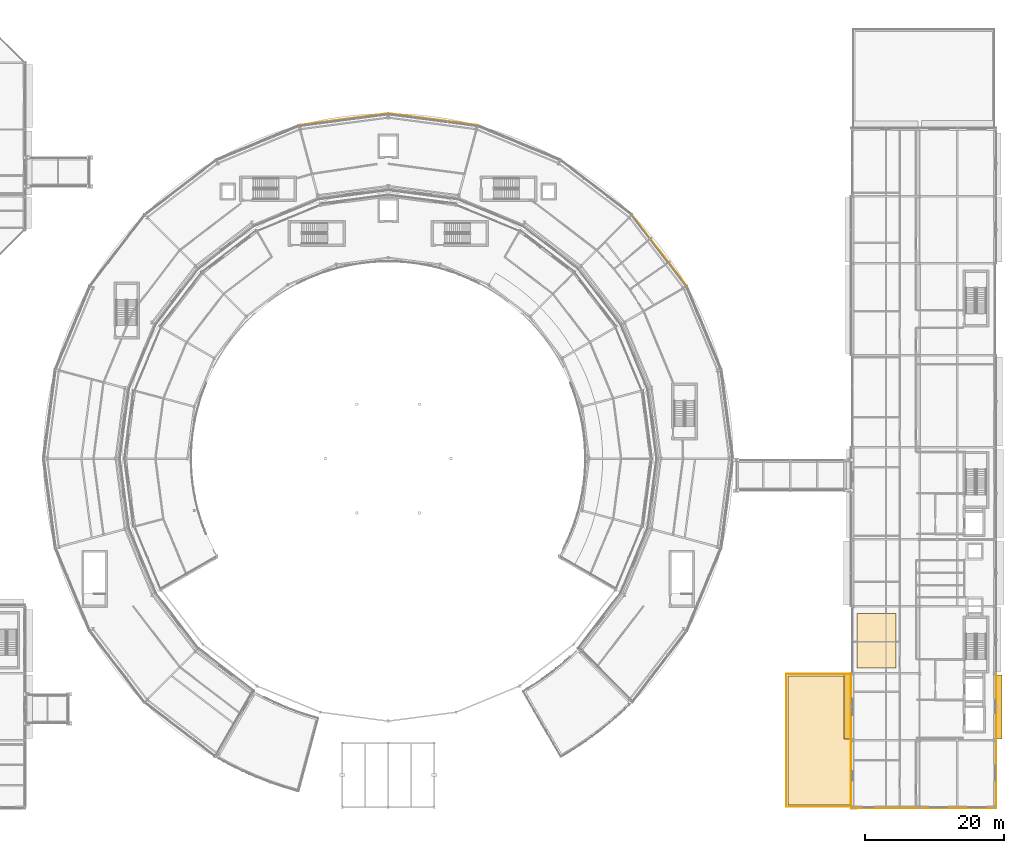
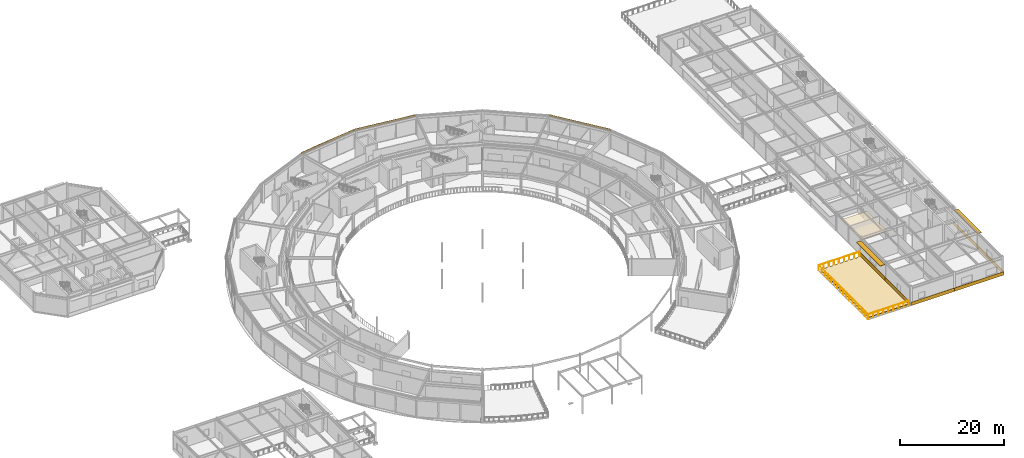
# One storey, part 152 of 157: 11 coverings, 3 railings, 2 shading devices.
"""IFC4 building model written with IfcOpenShell, lengths in metres."""

from ifc_helpers import new_model, si_unit, direction, frame, origin, origin_2d, place, context, subcontext, project, spatial, polyline, rectangle, circle, outline, extrude, material, layer, layer_set, type_object, element, save


model = new_model("IFC4")

# Units and contexts
model_context = context("Model", 3, precision=1e-05, world=origin(), true_north=direction((0.0, 1.0)))
body_context = subcontext(model_context, "Body", "Model", "MODEL_VIEW")
ifc_project = project(units=[si_unit("LENGTHUNIT", "METRE"), si_unit("AREAUNIT", "SQUARE_METRE"), si_unit("VOLUMEUNIT", "CUBIC_METRE"), si_unit("PLANEANGLEUNIT", "RADIAN"), si_unit("MASSUNIT", "GRAM", prefix="KILO")], contexts=[model_context])

# Site, building, storey
site_placement = place(None, origin())
site = spatial("IfcSite", under=ifc_project, at=site_placement, CompositionType="ELEMENT")
building_placement = place(site_placement, origin())
building = spatial("IfcBuilding", under=site, at=building_placement, Name="Almandine Court Research Institute", CompositionType="ELEMENT")
storey_placement = place(building_placement, frame((0.0, 0.0, 5.25)))
storey = spatial("IfcBuildingStorey", under=building, at=storey_placement, Name="L01", CompositionType="ELEMENT", Elevation=5.25)

# Coverings
ifc_material_1 = material(Name="Mineral Fibre Acoustic Suspended Ceiling Tile")
ifc_layer_1 = layer(ifc_material_1, 0.02490234375)
ifc_layer_set_1 = layer_set([ifc_layer_1], Name="Mineral Fibre Acoustic Suspended Ceiling Tile")
covering_type_1 = type_object("IfcCoveringType", Name="Cov-CEIL-ACOU", PredefinedType="CEILING", material=ifc_layer_set_1)
covering_1_placement = place(storey_placement, frame((0.0, 0.0, 3.050048828125)))
element("IfcCovering", 1, at=covering_1_placement, inside=storey, type_object=covering_type_1, Name="L01 Write-Up Suite Acoustic Ceiling", PredefinedType="CEILING", context=body_context, shape_type="SweptSolid", body=[
    extrude(outline(polyline([(154.199951171875, 26.0), (159.800048828125, 26.0), (159.800048828125, 33.800048828125), (154.199951171875, 33.800048828125), (154.199951171875, 26.0)])), origin(), (0.0, 0.0, 1.0), 0.02490234375),
])
ifc_material_2 = material(Name="Honed Andean Red-Buff Sandstone Cladding", Category="masonry")
ifc_layer_2 = layer(ifc_material_2, 0.06494140625)
ifc_layer_set_2 = layer_set([ifc_layer_2], Name="Honed Andean Red-Buff Sandstone Cladding")
covering_type_2 = type_object("IfcCoveringType", Name="Cov-CLAD-SAND", PredefinedType="CLADDING", material=ifc_layer_set_2)
covering_2_placement = place(storey_placement, frame((153.39892578125, 10.885009765625, 0.02001953125), z_axis=(0.0, 0.0, 1.0), x_axis=(0.0, 1.0, 0.0)))
element("IfcCovering", 2, at=covering_2_placement, inside=storey, type_object=covering_type_2, Name="L01 Facade Spandrel Cladding Band 119", PredefinedType="CLADDING", context=body_context, shape_type="SweptSolid", body=[
    extrude(rectangle(XDim=9.422119140625, YDim=0.06494140625, at=origin_2d()), origin(), (0.0, 0.0, 1.0), 0.800048828125),
])
for number, where, z_axis, x_axis, name in (
    (3, (153.39892578125, 20.39990234375, 0.02001953125), (0.0, 0.0, 1.0), (0.0, 1.0, 0.0), "L01 Facade Spandrel Cladding Band 120"),
    (4, (174.200927734375, 20.39990234375, 0.02001953125), (0.0, 0.0, 1.0), (0.0, -1.0, 0.0), "L01 Facade Spandrel Cladding Band 133"),
):
    element("IfcCovering", number, at=place(storey_placement, frame(where, z_axis=z_axis, x_axis=x_axis)), inside=storey, type_object=covering_type_2, Name=name, PredefinedType="CLADDING", context=body_context, shape_type="SweptSolid", body=[
        extrude(rectangle(XDim=9.592041015625, YDim=0.06494140625, at=origin_2d()), origin(), (0.0, 0.0, 1.0), 0.800048828125),
    ])
covering_3_placement = place(storey_placement, frame((174.200927734375, 10.885009765625, 0.02001953125), z_axis=(0.0, 0.0, 1.0), x_axis=(0.0, -1.0, 0.0)))
element("IfcCovering", 5, at=covering_3_placement, inside=storey, type_object=covering_type_2, Name="L01 Facade Spandrel Cladding Band 134", PredefinedType="CLADDING", context=body_context, shape_type="SweptSolid", body=[
    extrude(rectangle(XDim=9.422119140625, YDim=0.06494140625, at=origin_2d()), origin(), (0.0, 0.0, 1.0), 0.800048828125),
])
covering_4_placement = place(storey_placement, frame((168.68701171875, 5.800048828125, 0.02001953125), z_axis=(0.0, 0.0, 1.0), x_axis=(-1.0, 0.0, 0.0)))
element("IfcCovering", 6, at=covering_4_placement, inside=storey, type_object=covering_type_2, Name="L01 Facade Spandrel Cladding Band 135", PredefinedType="CLADDING", context=body_context, shape_type="SweptSolid", body=[
    extrude(rectangle(XDim=10.966064453125, YDim=0.06494140625, at=origin_2d()), origin(), (0.0, 0.0, 1.0), 0.800048828125),
])
covering_5_placement = place(storey_placement, frame((158.31298828125, 5.800048828125, 0.02001953125), z_axis=(0.0, 0.0, 1.0), x_axis=(-1.0, 0.0, 0.0)))
element("IfcCovering", 7, at=covering_5_placement, inside=storey, type_object=covering_type_2, Name="L01 Facade Spandrel Cladding Band 136", PredefinedType="CLADDING", context=body_context, shape_type="SweptSolid", body=[
    extrude(rectangle(XDim=9.76611328125, YDim=0.06494140625, at=origin_2d()), origin(), (0.0, 0.0, 1.0), 0.800048828125),
])
ifc_material_3 = material(Name="Extruded Cream-Ochre Seismic Terracotta Spandrel", Category="masonry")
ifc_layer_3 = layer(ifc_material_3, 0.054931640625)
ifc_layer_set_3 = layer_set([ifc_layer_3], Name="Extruded Cream-Ochre Seismic Terracotta Spandrel")
covering_type_3 = type_object("IfcCoveringType", Name="Cov-CLAD-TERR", PredefinedType="CLADDING", material=ifc_layer_set_3)
for number, where, z_axis, x_axis, name in (
    (8, (125.919921875, 85.864990234375, 3.97998046875), (0.0, 0.0, 1.0), (0.608761429009, -0.793353340291, 0.0), "L01 Drum Stacked Terracotta Ring Band 02"),
    (9, (93.404052734375, 104.638916015625, 3.97998046875), (0.0, 0.0, 1.0), (0.991444861374, -0.13052619222, 0.0), "L01 Drum Stacked Terracotta Ring Band 05"),
    (10, (80.595947265625, 104.638916015625, 3.97998046875), (0.0, 0.0, 1.0), (0.991444861374, 0.13052619222, 0.0), "L01 Drum Stacked Terracotta Ring Band 06"),
):
    element("IfcCovering", number, at=place(storey_placement, frame(where, z_axis=z_axis, x_axis=x_axis)), inside=storey, type_object=covering_type_3, Name=name, PredefinedType="CLADDING", context=body_context, shape_type="SweptSolid", body=[
        extrude(rectangle(XDim=12.8779296875, YDim=0.054931640625, at=origin_2d()), origin(), (0.0, 0.0, 1.0), 0.419921875),
    ])
ifc_material_4 = material(Name="Extensive Andean Sedum Planted Green Roof Build-Up")
ifc_layer_4 = layer(ifc_material_4, 0.139892578125)
ifc_layer_set_4 = layer_set([ifc_layer_4], Name="Extensive Andean Sedum Planted Green Roof Build-Up")
covering_type_4 = type_object("IfcCoveringType", Name="Cov-ROOF-GREEN", PredefinedType="ROOFING", material=ifc_layer_set_4)
covering_6_placement = place(storey_placement, origin())
element("IfcCovering", 11, at=covering_6_placement, inside=storey, type_object=covering_type_4, Name="L01 Planted Green Roof Covering 03", PredefinedType="ROOFING", context=body_context, shape_type="SweptSolid", body=[
    extrude(outline(polyline([(144.35009765625, 6.35009765625), (144.35009765625, 24.85009765625), (153.25, 24.85009765625), (153.25, 6.35009765625), (144.35009765625, 6.35009765625)])), origin(), (0.0, 0.0, 1.0), 0.139892578125),
])

# Railings
ifc_material_5 = material(Name="Architectural Powder-Coated Aluminium Balustrade", Category="aluminium")
railing_type = type_object("IfcRailingType", Name="Rail-BAL-EXT", PredefinedType="BALUSTRADE", material=ifc_material_5)
railing_1_placement = place(storey_placement, frame((144.080078125, 6.080078125, 0.0)))
element("IfcRailing", 12, at=railing_1_placement, inside=storey, type_object=railing_type, Name="L01 Terrace Perimeter Balustrade 006", PredefinedType="BALUSTRADE", context=body_context, shape_type="SweptSolid", body=[
    extrude(circle(Radius=0.02392578125, at=origin_2d()), frame((0.0, 0.0, 1.1259765625), z_axis=(0.0, 1.0, 0.0), x_axis=(-1.0, 0.0, 0.0)), (0.0, 0.0, 1.0), 19.0400390625),
    extrude(circle(Radius=0.02099609375, at=origin_2d()), origin(), (0.0, 0.0, 1.0), 1.101806640625),
    extrude(circle(Radius=0.02099609375, at=origin_2d()), frame((0.0, 1.18994140625, 0.0)), (0.0, 0.0, 1.0), 1.101806640625),
    extrude(circle(Radius=0.02099609375, at=origin_2d()), frame((0.0, 2.3798828125, 0.0)), (0.0, 0.0, 1.0), 1.101806640625),
    extrude(circle(Radius=0.02099609375, at=origin_2d()), frame((0.0, 3.570068359375, 0.0)), (0.0, 0.0, 1.0), 1.101806640625),
    extrude(circle(Radius=0.02099609375, at=origin_2d()), frame((0.0, 4.760009765625, 0.0)), (0.0, 0.0, 1.0), 1.101806640625),
    extrude(circle(Radius=0.02099609375, at=origin_2d()), frame((0.0, 5.949951171875, 0.0)), (0.0, 0.0, 1.0), 1.101806640625),
    extrude(circle(Radius=0.02099609375, at=origin_2d()), frame((0.0, 7.14013671875, 0.0)), (0.0, 0.0, 1.0), 1.101806640625),
    extrude(circle(Radius=0.02099609375, at=origin_2d()), frame((0.0, 8.330078125, 0.0)), (0.0, 0.0, 1.0), 1.101806640625),
    extrude(circle(Radius=0.02099609375, at=origin_2d()), frame((0.0, 9.52001953125, 0.0)), (0.0, 0.0, 1.0), 1.101806640625),
    extrude(circle(Radius=0.02099609375, at=origin_2d()), frame((0.0, 10.7099609375, 0.0)), (0.0, 0.0, 1.0), 1.101806640625),
    extrude(circle(Radius=0.02099609375, at=origin_2d()), frame((0.0, 11.89990234375, 0.0)), (0.0, 0.0, 1.0), 1.101806640625),
    extrude(circle(Radius=0.02099609375, at=origin_2d()), frame((0.0, 13.090087890625, 0.0)), (0.0, 0.0, 1.0), 1.101806640625),
    extrude(circle(Radius=0.02099609375, at=origin_2d()), frame((0.0, 14.280029296875, 0.0)), (0.0, 0.0, 1.0), 1.101806640625),
    extrude(circle(Radius=0.02099609375, at=origin_2d()), frame((0.0, 15.469970703125, 0.0)), (0.0, 0.0, 1.0), 1.101806640625),
    extrude(circle(Radius=0.02099609375, at=origin_2d()), frame((0.0, 16.66015625, 0.0)), (0.0, 0.0, 1.0), 1.101806640625),
    extrude(circle(Radius=0.02099609375, at=origin_2d()), frame((0.0, 17.85009765625, 0.0)), (0.0, 0.0, 1.0), 1.101806640625),
    extrude(circle(Radius=0.02099609375, at=origin_2d()), frame((0.0, 19.0400390625, 0.0)), (0.0, 0.0, 1.0), 1.101806640625),
])
railing_2_placement = place(storey_placement, frame((144.080078125, 25.1201171875, 0.0)))
element("IfcRailing", 13, at=railing_2_placement, inside=storey, type_object=railing_type, Name="L01 Terrace Perimeter Balustrade 007", PredefinedType="BALUSTRADE", context=body_context, shape_type="SweptSolid", body=[
    extrude(circle(Radius=0.02392578125, at=origin_2d()), frame((0.0, 0.0, 1.1259765625), z_axis=(1.0, 0.0, 0.0), x_axis=(0.0, 1.0, 0.0)), (0.0, 0.0, 1.0), 9.06982421875),
    extrude(circle(Radius=0.02099609375, at=origin_2d()), origin(), (0.0, 0.0, 1.0), 1.101806640625),
    extrude(circle(Radius=0.02099609375, at=origin_2d()), frame((1.1337890625, 0.0, 0.0)), (0.0, 0.0, 1.0), 1.101806640625),
    extrude(circle(Radius=0.02099609375, at=origin_2d()), frame((2.267578125, 0.0, 0.0)), (0.0, 0.0, 1.0), 1.101806640625),
    extrude(circle(Radius=0.02099609375, at=origin_2d()), frame((3.401123046875, 0.0, 0.0)), (0.0, 0.0, 1.0), 1.101806640625),
    extrude(circle(Radius=0.02099609375, at=origin_2d()), frame((4.534912109375, 0.0, 0.0)), (0.0, 0.0, 1.0), 1.101806640625),
    extrude(circle(Radius=0.02099609375, at=origin_2d()), frame((5.668701171875, 0.0, 0.0)), (0.0, 0.0, 1.0), 1.101806640625),
    extrude(circle(Radius=0.02099609375, at=origin_2d()), frame((6.80224609375, 0.0, 0.0)), (0.0, 0.0, 1.0), 1.101806640625),
    extrude(circle(Radius=0.02099609375, at=origin_2d()), frame((7.93603515625, 0.0, 0.0)), (0.0, 0.0, 1.0), 1.101806640625),
    extrude(circle(Radius=0.02099609375, at=origin_2d()), frame((9.06982421875, 0.0, 0.0)), (0.0, 0.0, 1.0), 1.101806640625),
])
railing_3_placement = place(storey_placement, frame((153.14990234375, 6.080078125, 0.0)))
element("IfcRailing", 14, at=railing_3_placement, inside=storey, type_object=railing_type, Name="L01 Terrace Perimeter Balustrade 008", PredefinedType="BALUSTRADE", context=body_context, shape_type="SweptSolid", body=[
    extrude(circle(Radius=0.02392578125, at=origin_2d()), frame((0.0, 0.0, 1.1259765625), z_axis=(-1.0, 0.0, 0.0), x_axis=(0.0, -1.0, 0.0)), (0.0, 0.0, 1.0), 9.06982421875),
    extrude(circle(Radius=0.02099609375, at=origin_2d()), origin(), (0.0, 0.0, 1.0), 1.101806640625),
    extrude(circle(Radius=0.02099609375, at=origin_2d()), frame((-1.1337890625, 0.0, 0.0)), (0.0, 0.0, 1.0), 1.101806640625),
    extrude(circle(Radius=0.02099609375, at=origin_2d()), frame((-2.267578125, 0.0, 0.0)), (0.0, 0.0, 1.0), 1.101806640625),
    extrude(circle(Radius=0.02099609375, at=origin_2d()), frame((-3.401123046875, 0.0, 0.0)), (0.0, 0.0, 1.0), 1.101806640625),
    extrude(circle(Radius=0.02099609375, at=origin_2d()), frame((-4.534912109375, 0.0, 0.0)), (0.0, 0.0, 1.0), 1.101806640625),
    extrude(circle(Radius=0.02099609375, at=origin_2d()), frame((-5.668701171875, 0.0, 0.0)), (0.0, 0.0, 1.0), 1.101806640625),
    extrude(circle(Radius=0.02099609375, at=origin_2d()), frame((-6.80224609375, 0.0, 0.0)), (0.0, 0.0, 1.0), 1.101806640625),
    extrude(circle(Radius=0.02099609375, at=origin_2d()), frame((-7.93603515625, 0.0, 0.0)), (0.0, 0.0, 1.0), 1.101806640625),
    extrude(circle(Radius=0.02099609375, at=origin_2d()), frame((-9.06982421875, 0.0, 0.0)), (0.0, 0.0, 1.0), 1.101806640625),
])

# Shading devices
ifc_material_6 = material(Name="Precast GFRC Chhajja Sunshade and Acoustic Louvre", Category="concrete")
ifc_layer_5 = layer(ifc_material_6, 0.080078125)
ifc_layer_set_5 = layer_set([ifc_layer_5], Name="Precast GFRC Chhajja Sunshade and Acoustic Louvre")
shading_device_type_1 = type_object("IfcShadingDeviceType", Name="Shd-SD-02", PredefinedType="AWNING", material=ifc_layer_set_5)
shading_device_1_placement = place(storey_placement, frame((152.9150390625, 20.39990234375, 3.613037109375), z_axis=(0.0, 0.0, 1.0), x_axis=(0.0, 1.0, 0.0)))
element("IfcShadingDevice", 15, at=shading_device_1_placement, inside=storey, type_object=shading_device_type_1, Name="L01 Projecting Chhajja Sunshade 76", PredefinedType="AWNING", context=body_context, shape_type="SweptSolid", body=[
    extrude(rectangle(XDim=9.241943359375, YDim=1.050048828125, at=origin_2d()), origin(), (0.0, 0.0, 1.0), 0.080078125),
])
ifc_layer_6 = layer(ifc_material_6, 0.080078125)
ifc_layer_set_6 = layer_set([ifc_layer_6], Name="Precast GFRC Chhajja Sunshade and Acoustic Louvre")
shading_device_type_2 = type_object("IfcShadingDeviceType", Name="Shd-SD-53", PredefinedType="AWNING", material=ifc_layer_set_6)
shading_device_2_placement = place(storey_placement, frame((174.5849609375, 20.39990234375, 3.60400390625), z_axis=(0.0, 0.0, 1.0), x_axis=(0.0, -1.0, 0.0)))
element("IfcShadingDevice", 16, at=shading_device_2_placement, inside=storey, type_object=shading_device_type_2, Name="L01 Projecting Chhajja Sunshade 89", PredefinedType="AWNING", context=body_context, shape_type="SweptSolid", body=[
    extrude(rectangle(XDim=9.162109375, YDim=0.85009765625, at=origin_2d()), origin(), (0.0, 0.0, 1.0), 0.080078125),
])

save(model, "model.ifc")
